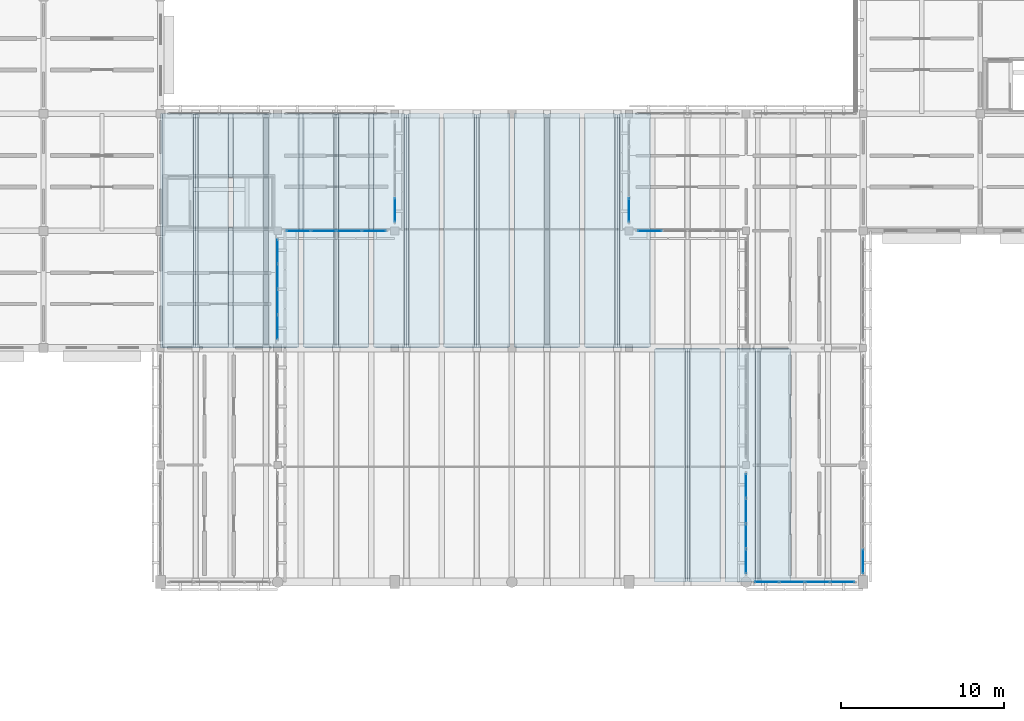
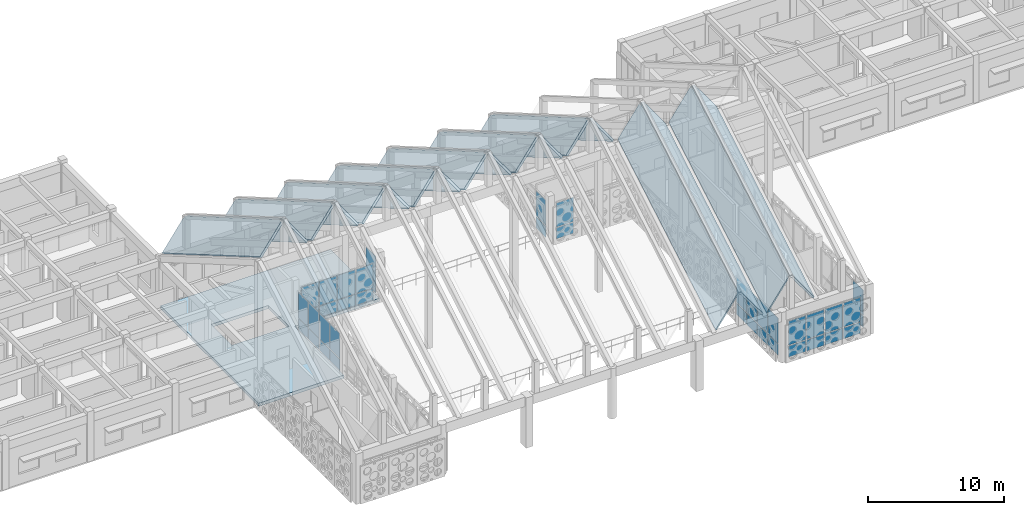
# One storey, part 103 of 171: 40 plates, 19 slabs, 8 elements without a shape of their own.
"""IFC4 building model written with IfcOpenShell, lengths in metres."""

from ifc_helpers import new_model, si_unit, direction, frame, origin, origin_2d, place, context, subcontext, project, spatial, polyline, rectangle, outline, extrude, material, layer, layer_set, type_object, element, aggregate, save


model = new_model("IFC4")

# Units and contexts
model_context = context("Model", 3, precision=1e-05, world=origin(), true_north=direction((0.0, 1.0)))
body_context = subcontext(model_context, "Body", "Model", "MODEL_VIEW")
ifc_project = project(units=[si_unit("LENGTHUNIT", "METRE"), si_unit("AREAUNIT", "SQUARE_METRE"), si_unit("VOLUMEUNIT", "CUBIC_METRE"), si_unit("PLANEANGLEUNIT", "RADIAN"), si_unit("MASSUNIT", "GRAM", prefix="KILO")], contexts=[model_context])

# Site, building, storey
site_placement = place(None, origin())
site = spatial("IfcSite", under=ifc_project, at=site_placement, CompositionType="ELEMENT")
building_placement = place(site_placement, origin())
building = spatial("IfcBuilding", under=site, at=building_placement, Name="Aldebral Square Health Centre", CompositionType="ELEMENT")
storey_placement = place(building_placement, frame((0.0, 0.0, 4.5)))
storey = spatial("IfcBuildingStorey", under=building, at=storey_placement, Name="L01", CompositionType="ELEMENT", Elevation=4.5)

# Curtain wall, plates
ifc_material_1 = material(Name="Aluminium and low-E solar glass", Category="aluminium")
curtain_wall_type = type_object("IfcCurtainWallType", Name="CW-HALL-SYS", PredefinedType="USERDEFINED", material=ifc_material_1)
curtain_wall_1_placement = place(storey_placement, origin())
curtain_wall_1 = element("IfcCurtainWall", 1, at=curtain_wall_1_placement, inside=storey, type_object=curtain_wall_type, Name="L01 V1 hall curtain wall L01-V1-09-12-E", ObjectType="HALL_CURTAIN_WALL", PredefinedType="USERDEFINED")
ifc_material_2 = material(Name="Solar-control low-E double glass", Category="glass")
ifc_layer_1 = layer(ifc_material_2, 0.030029296875, Name="Solar-control low-E double glass", Category="glass")
ifc_layer_set_1 = layer_set([ifc_layer_1], Name="Solar-control low-E double glass")
plate_type = type_object("IfcPlateType", Name="CWP-GLZ-2", PredefinedType="CURTAIN_PANEL", material=ifc_layer_set_1)
plate_1_placement = place(storey_placement, frame((72.0, 87.6787109375, 0.0751953125), z_axis=(0.0, 0.0, 1.0), x_axis=(0.0, 1.0, 0.0)))
plate_1 = element("IfcPlate", 2, at=plate_1_placement, type_object=plate_type, Name="CW2 panel 1.1", PredefinedType="CURTAIN_PANEL", context=body_context, shape_type="SweptSolid", body=[
    extrude(rectangle(XDim=1.447509765625, YDim=0.030029296875, at=origin_2d()), origin(), (0.0, 0.0, 1.0), 0.987548828125),
])
plate_2_placement = place(storey_placement, frame((72.0, 87.6787109375, 1.1376953125), z_axis=(0.0, 0.0, 1.0), x_axis=(0.0, 1.0, 0.0)))
plate_2 = element("IfcPlate", 3, at=plate_2_placement, type_object=plate_type, Name="CW2 panel 1.2", PredefinedType="CURTAIN_PANEL", context=body_context, shape_type="SweptSolid", body=[
    extrude(rectangle(XDim=1.447509765625, YDim=0.030029296875, at=origin_2d()), origin(), (0.0, 0.0, 1.0), 2.257568359375),
])
plate_3_placement = place(storey_placement, frame((72.0, 89.219970703125, 0.0751953125), z_axis=(0.0, 0.0, 1.0), x_axis=(0.0, 1.0, 0.0)))
plate_3 = element("IfcPlate", 4, at=plate_3_placement, type_object=plate_type, Name="CW2 panel 2.1", PredefinedType="CURTAIN_PANEL", context=body_context, shape_type="SweptSolid", body=[
    extrude(rectangle(XDim=1.485107421875, YDim=0.030029296875, at=origin_2d()), origin(), (0.0, 0.0, 1.0), 0.987548828125),
])
plate_4_placement = place(storey_placement, frame((72.0, 89.219970703125, 1.1376953125), z_axis=(0.0, 0.0, 1.0), x_axis=(0.0, 1.0, 0.0)))
plate_4 = element("IfcPlate", 5, at=plate_4_placement, type_object=plate_type, Name="CW2 panel 2.2", PredefinedType="CURTAIN_PANEL", context=body_context, shape_type="SweptSolid", body=[
    extrude(rectangle(XDim=1.485107421875, YDim=0.030029296875, at=origin_2d()), origin(), (0.0, 0.0, 1.0), 2.257568359375),
])
plate_5_placement = place(storey_placement, frame((72.0, 90.780029296875, 0.0751953125), z_axis=(0.0, 0.0, 1.0), x_axis=(0.0, 1.0, 0.0)))
plate_5 = element("IfcPlate", 6, at=plate_5_placement, type_object=plate_type, Name="CW2 panel 3.1", PredefinedType="CURTAIN_PANEL", context=body_context, shape_type="SweptSolid", body=[
    extrude(rectangle(XDim=1.485107421875, YDim=0.030029296875, at=origin_2d()), origin(), (0.0, 0.0, 1.0), 0.987548828125),
])
plate_6_placement = place(storey_placement, frame((72.0, 90.780029296875, 1.1376953125), z_axis=(0.0, 0.0, 1.0), x_axis=(0.0, 1.0, 0.0)))
plate_6 = element("IfcPlate", 7, at=plate_6_placement, type_object=plate_type, Name="CW2 panel 3.2", PredefinedType="CURTAIN_PANEL", context=body_context, shape_type="SweptSolid", body=[
    extrude(rectangle(XDim=1.485107421875, YDim=0.030029296875, at=origin_2d()), origin(), (0.0, 0.0, 1.0), 2.257568359375),
])
plate_7_placement = place(storey_placement, frame((72.0, 92.3212890625, 0.0751953125), z_axis=(0.0, 0.0, 1.0), x_axis=(0.0, 1.0, 0.0)))
plate_7 = element("IfcPlate", 8, at=plate_7_placement, type_object=plate_type, Name="CW2 panel 4.1", PredefinedType="CURTAIN_PANEL", context=body_context, shape_type="SweptSolid", body=[
    extrude(rectangle(XDim=1.447509765625, YDim=0.030029296875, at=origin_2d()), origin(), (0.0, 0.0, 1.0), 0.987548828125),
])
plate_8_placement = place(storey_placement, frame((72.0, 92.3212890625, 1.1376953125), z_axis=(0.0, 0.0, 1.0), x_axis=(0.0, 1.0, 0.0)))
plate_8 = element("IfcPlate", 9, at=plate_8_placement, type_object=plate_type, Name="CW2 panel 4.2", PredefinedType="CURTAIN_PANEL", context=body_context, shape_type="SweptSolid", body=[
    extrude(rectangle(XDim=1.447509765625, YDim=0.030029296875, at=origin_2d()), origin(), (0.0, 0.0, 1.0), 2.257568359375),
])
aggregate(curtain_wall_1, [plate_1, plate_2, plate_3, plate_4, plate_5, plate_6, plate_7, plate_8])

curtain_wall_2_placement = place(storey_placement, origin())
curtain_wall_2 = element("IfcCurtainWall", 10, at=curtain_wall_2_placement, inside=storey, type_object=curtain_wall_type, Name="L01 V1 hall curtain wall L01-V1-10-13-S", ObjectType="HALL_CURTAIN_WALL", PredefinedType="USERDEFINED")
plate_9_placement = place(storey_placement, frame((73.27880859375, 93.60009765625, 0.0751953125), z_axis=(0.0, 0.0, 1.0), x_axis=(1.0, 0.0, 0.0)))
plate_9 = element("IfcPlate", 11, at=plate_9_placement, type_object=plate_type, Name="CW2 panel 1.1", PredefinedType="CURTAIN_PANEL", context=body_context, shape_type="SweptSolid", body=[
    extrude(rectangle(XDim=1.447509765625, YDim=0.030029296875, at=origin_2d()), origin(), (0.0, 0.0, 1.0), 0.987548828125),
])
plate_10_placement = place(storey_placement, frame((73.27880859375, 93.60009765625, 1.1376953125), z_axis=(0.0, 0.0, 1.0), x_axis=(1.0, 0.0, 0.0)))
plate_10 = element("IfcPlate", 12, at=plate_10_placement, type_object=plate_type, Name="CW2 panel 1.2", PredefinedType="CURTAIN_PANEL", context=body_context, shape_type="SweptSolid", body=[
    extrude(rectangle(XDim=1.447509765625, YDim=0.030029296875, at=origin_2d()), origin(), (0.0, 0.0, 1.0), 2.157470703125),
])
plate_11_placement = place(storey_placement, frame((74.820068359375, 93.60009765625, 0.0751953125), z_axis=(0.0, 0.0, 1.0), x_axis=(1.0, 0.0, 0.0)))
plate_11 = element("IfcPlate", 13, at=plate_11_placement, type_object=plate_type, Name="CW2 panel 2.1", PredefinedType="CURTAIN_PANEL", context=body_context, shape_type="SweptSolid", body=[
    extrude(rectangle(XDim=1.485107421875, YDim=0.030029296875, at=origin_2d()), origin(), (0.0, 0.0, 1.0), 0.987548828125),
])
plate_12_placement = place(storey_placement, frame((74.820068359375, 93.60009765625, 1.1376953125), z_axis=(0.0, 0.0, 1.0), x_axis=(1.0, 0.0, 0.0)))
plate_12 = element("IfcPlate", 14, at=plate_12_placement, type_object=plate_type, Name="CW2 panel 2.2", PredefinedType="CURTAIN_PANEL", context=body_context, shape_type="SweptSolid", body=[
    extrude(rectangle(XDim=1.485107421875, YDim=0.030029296875, at=origin_2d()), origin(), (0.0, 0.0, 1.0), 2.157470703125),
])
plate_13_placement = place(storey_placement, frame((76.3798828125, 93.60009765625, 0.0751953125), z_axis=(0.0, 0.0, 1.0), x_axis=(1.0, 0.0, 0.0)))
plate_13 = element("IfcPlate", 15, at=plate_13_placement, type_object=plate_type, Name="CW2 panel 3.1", PredefinedType="CURTAIN_PANEL", context=body_context, shape_type="SweptSolid", body=[
    extrude(rectangle(XDim=1.485107421875, YDim=0.030029296875, at=origin_2d()), origin(), (0.0, 0.0, 1.0), 0.987548828125),
])
plate_14_placement = place(storey_placement, frame((76.3798828125, 93.60009765625, 1.1376953125), z_axis=(0.0, 0.0, 1.0), x_axis=(1.0, 0.0, 0.0)))
plate_14 = element("IfcPlate", 16, at=plate_14_placement, type_object=plate_type, Name="CW2 panel 3.2", PredefinedType="CURTAIN_PANEL", context=body_context, shape_type="SweptSolid", body=[
    extrude(rectangle(XDim=1.485107421875, YDim=0.030029296875, at=origin_2d()), origin(), (0.0, 0.0, 1.0), 2.157470703125),
])
plate_15_placement = place(storey_placement, frame((77.921142578125, 93.60009765625, 0.0751953125), z_axis=(0.0, 0.0, 1.0), x_axis=(1.0, 0.0, 0.0)))
plate_15 = element("IfcPlate", 17, at=plate_15_placement, type_object=plate_type, Name="CW2 panel 4.1", PredefinedType="CURTAIN_PANEL", context=body_context, shape_type="SweptSolid", body=[
    extrude(rectangle(XDim=1.447509765625, YDim=0.030029296875, at=origin_2d()), origin(), (0.0, 0.0, 1.0), 0.987548828125),
])
plate_16_placement = place(storey_placement, frame((77.921142578125, 93.60009765625, 1.1376953125), z_axis=(0.0, 0.0, 1.0), x_axis=(1.0, 0.0, 0.0)))
plate_16 = element("IfcPlate", 18, at=plate_16_placement, type_object=plate_type, Name="CW2 panel 4.2", PredefinedType="CURTAIN_PANEL", context=body_context, shape_type="SweptSolid", body=[
    extrude(rectangle(XDim=1.447509765625, YDim=0.030029296875, at=origin_2d()), origin(), (0.0, 0.0, 1.0), 2.157470703125),
])
aggregate(curtain_wall_2, [plate_9, plate_10, plate_11, plate_12, plate_13, plate_14, plate_15, plate_16])

curtain_wall_3_placement = place(storey_placement, origin())
curtain_wall_3 = element("IfcCurtainWall", 19, at=curtain_wall_3_placement, inside=storey, type_object=curtain_wall_type, Name="L01 V1 hall curtain wall L01-V1-10-13-E", ObjectType="HALL_CURTAIN_WALL", PredefinedType="USERDEFINED")
plate_17_placement = place(storey_placement, frame((79.199951171875, 94.878662109375, 0.0751953125), z_axis=(0.0, 0.0, 1.0), x_axis=(0.0, 1.0, 0.0)))
plate_17 = element("IfcPlate", 20, at=plate_17_placement, type_object=plate_type, Name="CW2 panel 1.1", PredefinedType="CURTAIN_PANEL", context=body_context, shape_type="SweptSolid", body=[
    extrude(rectangle(XDim=1.447509765625, YDim=0.030029296875, at=origin_2d()), origin(), (0.0, 0.0, 1.0), 0.987548828125),
])
plate_18_placement = place(storey_placement, frame((79.199951171875, 94.878662109375, 1.1376953125), z_axis=(0.0, 0.0, 1.0), x_axis=(0.0, 1.0, 0.0)))
plate_18 = element("IfcPlate", 21, at=plate_18_placement, type_object=plate_type, Name="CW2 panel 1.2", PredefinedType="CURTAIN_PANEL", context=body_context, shape_type="SweptSolid", body=[
    extrude(rectangle(XDim=1.447509765625, YDim=0.030029296875, at=origin_2d()), origin(), (0.0, 0.0, 1.0), 2.257568359375),
])
aggregate(curtain_wall_3, [plate_17, plate_18])

curtain_wall_4_placement = place(storey_placement, origin())
curtain_wall_4 = element("IfcCurtainWall", 22, at=curtain_wall_4_placement, inside=storey, type_object=curtain_wall_type, Name="L01 V1 hall curtain wall L01-V1-13-13-S", ObjectType="HALL_CURTAIN_WALL", PredefinedType="USERDEFINED")
plate_19_placement = place(storey_placement, frame((94.878662109375, 93.60009765625, 0.0751953125), z_axis=(0.0, 0.0, 1.0), x_axis=(1.0, 0.0, 0.0)))
plate_19 = element("IfcPlate", 23, at=plate_19_placement, type_object=plate_type, Name="CW2 panel 1.1", PredefinedType="CURTAIN_PANEL", context=body_context, shape_type="SweptSolid", body=[
    extrude(rectangle(XDim=1.447509765625, YDim=0.030029296875, at=origin_2d()), origin(), (0.0, 0.0, 1.0), 0.987548828125),
])
plate_20_placement = place(storey_placement, frame((94.878662109375, 93.60009765625, 1.1376953125), z_axis=(0.0, 0.0, 1.0), x_axis=(1.0, 0.0, 0.0)))
plate_20 = element("IfcPlate", 24, at=plate_20_placement, type_object=plate_type, Name="CW2 panel 1.2", PredefinedType="CURTAIN_PANEL", context=body_context, shape_type="SweptSolid", body=[
    extrude(rectangle(XDim=1.447509765625, YDim=0.030029296875, at=origin_2d()), origin(), (0.0, 0.0, 1.0), 2.157470703125),
])
aggregate(curtain_wall_4, [plate_19, plate_20])

curtain_wall_5_placement = place(storey_placement, origin())
curtain_wall_5 = element("IfcCurtainWall", 25, at=curtain_wall_5_placement, inside=storey, type_object=curtain_wall_type, Name="L01 V1 hall curtain wall L01-V1-13-13-W", ObjectType="HALL_CURTAIN_WALL", PredefinedType="USERDEFINED")
plate_21_placement = place(storey_placement, frame((93.60009765625, 94.878662109375, 0.0751953125), z_axis=(0.0, 0.0, 1.0), x_axis=(0.0, -1.0, 0.0)))
plate_21 = element("IfcPlate", 26, at=plate_21_placement, type_object=plate_type, Name="CW2 panel 4.1", PredefinedType="CURTAIN_PANEL", context=body_context, shape_type="SweptSolid", body=[
    extrude(rectangle(XDim=1.447509765625, YDim=0.030029296875, at=origin_2d()), origin(), (0.0, 0.0, 1.0), 0.987548828125),
])
plate_22_placement = place(storey_placement, frame((93.60009765625, 94.878662109375, 1.1376953125), z_axis=(0.0, 0.0, 1.0), x_axis=(0.0, -1.0, 0.0)))
plate_22 = element("IfcPlate", 27, at=plate_22_placement, type_object=plate_type, Name="CW2 panel 4.2", PredefinedType="CURTAIN_PANEL", context=body_context, shape_type="SweptSolid", body=[
    extrude(rectangle(XDim=1.447509765625, YDim=0.030029296875, at=origin_2d()), origin(), (0.0, 0.0, 1.0), 2.257568359375),
])
aggregate(curtain_wall_5, [plate_21, plate_22])

curtain_wall_6_placement = place(storey_placement, origin())
curtain_wall_6 = element("IfcCurtainWall", 28, at=curtain_wall_6_placement, inside=storey, type_object=curtain_wall_type, Name="L01 V1 hall curtain wall L01-V1-14-10-S", ObjectType="HALL_CURTAIN_WALL", PredefinedType="USERDEFINED")
plate_23_placement = place(storey_placement, frame((102.078857421875, 72.0, 0.0751953125), z_axis=(0.0, 0.0, 1.0), x_axis=(1.0, 0.0, 0.0)))
plate_23 = element("IfcPlate", 29, at=plate_23_placement, type_object=plate_type, Name="CW2 panel 1.1", PredefinedType="CURTAIN_PANEL", context=body_context, shape_type="SweptSolid", body=[
    extrude(rectangle(XDim=1.447509765625, YDim=0.030029296875, at=origin_2d()), origin(), (0.0, 0.0, 1.0), 0.987548828125),
])
plate_24_placement = place(storey_placement, frame((102.078857421875, 72.0, 1.1376953125), z_axis=(0.0, 0.0, 1.0), x_axis=(1.0, 0.0, 0.0)))
plate_24 = element("IfcPlate", 30, at=plate_24_placement, type_object=plate_type, Name="CW2 panel 1.2", PredefinedType="CURTAIN_PANEL", context=body_context, shape_type="SweptSolid", body=[
    extrude(rectangle(XDim=1.447509765625, YDim=0.030029296875, at=origin_2d()), origin(), (0.0, 0.0, 1.0), 2.157470703125),
])
plate_25_placement = place(storey_placement, frame((103.6201171875, 72.0, 0.0751953125), z_axis=(0.0, 0.0, 1.0), x_axis=(1.0, 0.0, 0.0)))
plate_25 = element("IfcPlate", 31, at=plate_25_placement, type_object=plate_type, Name="CW2 panel 2.1", PredefinedType="CURTAIN_PANEL", context=body_context, shape_type="SweptSolid", body=[
    extrude(rectangle(XDim=1.485107421875, YDim=0.030029296875, at=origin_2d()), origin(), (0.0, 0.0, 1.0), 0.987548828125),
])
plate_26_placement = place(storey_placement, frame((103.6201171875, 72.0, 1.1376953125), z_axis=(0.0, 0.0, 1.0), x_axis=(1.0, 0.0, 0.0)))
plate_26 = element("IfcPlate", 32, at=plate_26_placement, type_object=plate_type, Name="CW2 panel 2.2", PredefinedType="CURTAIN_PANEL", context=body_context, shape_type="SweptSolid", body=[
    extrude(rectangle(XDim=1.485107421875, YDim=0.030029296875, at=origin_2d()), origin(), (0.0, 0.0, 1.0), 2.157470703125),
])
plate_27_placement = place(storey_placement, frame((105.179931640625, 72.0, 0.0751953125), z_axis=(0.0, 0.0, 1.0), x_axis=(1.0, 0.0, 0.0)))
plate_27 = element("IfcPlate", 33, at=plate_27_placement, type_object=plate_type, Name="CW2 panel 3.1", PredefinedType="CURTAIN_PANEL", context=body_context, shape_type="SweptSolid", body=[
    extrude(rectangle(XDim=1.485107421875, YDim=0.030029296875, at=origin_2d()), origin(), (0.0, 0.0, 1.0), 0.987548828125),
])
plate_28_placement = place(storey_placement, frame((105.179931640625, 72.0, 1.1376953125), z_axis=(0.0, 0.0, 1.0), x_axis=(1.0, 0.0, 0.0)))
plate_28 = element("IfcPlate", 34, at=plate_28_placement, type_object=plate_type, Name="CW2 panel 3.2", PredefinedType="CURTAIN_PANEL", context=body_context, shape_type="SweptSolid", body=[
    extrude(rectangle(XDim=1.485107421875, YDim=0.030029296875, at=origin_2d()), origin(), (0.0, 0.0, 1.0), 2.157470703125),
])
plate_29_placement = place(storey_placement, frame((106.72119140625, 72.0, 0.0751953125), z_axis=(0.0, 0.0, 1.0), x_axis=(1.0, 0.0, 0.0)))
plate_29 = element("IfcPlate", 35, at=plate_29_placement, type_object=plate_type, Name="CW2 panel 4.1", PredefinedType="CURTAIN_PANEL", context=body_context, shape_type="SweptSolid", body=[
    extrude(rectangle(XDim=1.447509765625, YDim=0.030029296875, at=origin_2d()), origin(), (0.0, 0.0, 1.0), 0.987548828125),
])
plate_30_placement = place(storey_placement, frame((106.72119140625, 72.0, 1.1376953125), z_axis=(0.0, 0.0, 1.0), x_axis=(1.0, 0.0, 0.0)))
plate_30 = element("IfcPlate", 36, at=plate_30_placement, type_object=plate_type, Name="CW2 panel 4.2", PredefinedType="CURTAIN_PANEL", context=body_context, shape_type="SweptSolid", body=[
    extrude(rectangle(XDim=1.447509765625, YDim=0.030029296875, at=origin_2d()), origin(), (0.0, 0.0, 1.0), 2.157470703125),
])
aggregate(curtain_wall_6, [plate_23, plate_24, plate_25, plate_26, plate_27, plate_28, plate_29, plate_30])

curtain_wall_7_placement = place(storey_placement, origin())
curtain_wall_7 = element("IfcCurtainWall", 37, at=curtain_wall_7_placement, inside=storey, type_object=curtain_wall_type, Name="L01 V1 hall curtain wall L01-V1-14-10-W", ObjectType="HALL_CURTAIN_WALL", PredefinedType="USERDEFINED")
plate_31_placement = place(storey_placement, frame((100.800048828125, 77.921142578125, 0.0751953125), z_axis=(0.0, 0.0, 1.0), x_axis=(0.0, -1.0, 0.0)))
plate_31 = element("IfcPlate", 38, at=plate_31_placement, type_object=plate_type, Name="CW2 panel 1.1", PredefinedType="CURTAIN_PANEL", context=body_context, shape_type="SweptSolid", body=[
    extrude(rectangle(XDim=1.447509765625, YDim=0.030029296875, at=origin_2d()), origin(), (0.0, 0.0, 1.0), 0.987548828125),
])
plate_32_placement = place(storey_placement, frame((100.800048828125, 77.921142578125, 1.1376953125), z_axis=(0.0, 0.0, 1.0), x_axis=(0.0, -1.0, 0.0)))
plate_32 = element("IfcPlate", 39, at=plate_32_placement, type_object=plate_type, Name="CW2 panel 1.2", PredefinedType="CURTAIN_PANEL", context=body_context, shape_type="SweptSolid", body=[
    extrude(rectangle(XDim=1.447509765625, YDim=0.030029296875, at=origin_2d()), origin(), (0.0, 0.0, 1.0), 2.257568359375),
])
plate_33_placement = place(storey_placement, frame((100.800048828125, 76.3798828125, 0.0751953125), z_axis=(0.0, 0.0, 1.0), x_axis=(0.0, -1.0, 0.0)))
plate_33 = element("IfcPlate", 40, at=plate_33_placement, type_object=plate_type, Name="CW2 panel 2.1", PredefinedType="CURTAIN_PANEL", context=body_context, shape_type="SweptSolid", body=[
    extrude(rectangle(XDim=1.485107421875, YDim=0.030029296875, at=origin_2d()), origin(), (0.0, 0.0, 1.0), 0.987548828125),
])
plate_34_placement = place(storey_placement, frame((100.800048828125, 76.3798828125, 1.1376953125), z_axis=(0.0, 0.0, 1.0), x_axis=(0.0, -1.0, 0.0)))
plate_34 = element("IfcPlate", 41, at=plate_34_placement, type_object=plate_type, Name="CW2 panel 2.2", PredefinedType="CURTAIN_PANEL", context=body_context, shape_type="SweptSolid", body=[
    extrude(rectangle(XDim=1.485107421875, YDim=0.030029296875, at=origin_2d()), origin(), (0.0, 0.0, 1.0), 2.257568359375),
])
plate_35_placement = place(storey_placement, frame((100.800048828125, 74.820068359375, 0.0751953125), z_axis=(0.0, 0.0, 1.0), x_axis=(0.0, -1.0, 0.0)))
plate_35 = element("IfcPlate", 42, at=plate_35_placement, type_object=plate_type, Name="CW2 panel 3.1", PredefinedType="CURTAIN_PANEL", context=body_context, shape_type="SweptSolid", body=[
    extrude(rectangle(XDim=1.485107421875, YDim=0.030029296875, at=origin_2d()), origin(), (0.0, 0.0, 1.0), 0.987548828125),
])
plate_36_placement = place(storey_placement, frame((100.800048828125, 74.820068359375, 1.1376953125), z_axis=(0.0, 0.0, 1.0), x_axis=(0.0, -1.0, 0.0)))
plate_36 = element("IfcPlate", 43, at=plate_36_placement, type_object=plate_type, Name="CW2 panel 3.2", PredefinedType="CURTAIN_PANEL", context=body_context, shape_type="SweptSolid", body=[
    extrude(rectangle(XDim=1.485107421875, YDim=0.030029296875, at=origin_2d()), origin(), (0.0, 0.0, 1.0), 2.257568359375),
])
plate_37_placement = place(storey_placement, frame((100.800048828125, 73.27880859375, 0.0751953125), z_axis=(0.0, 0.0, 1.0), x_axis=(0.0, -1.0, 0.0)))
plate_37 = element("IfcPlate", 44, at=plate_37_placement, type_object=plate_type, Name="CW2 panel 4.1", PredefinedType="CURTAIN_PANEL", context=body_context, shape_type="SweptSolid", body=[
    extrude(rectangle(XDim=1.447509765625, YDim=0.030029296875, at=origin_2d()), origin(), (0.0, 0.0, 1.0), 0.987548828125),
])
plate_38_placement = place(storey_placement, frame((100.800048828125, 73.27880859375, 1.1376953125), z_axis=(0.0, 0.0, 1.0), x_axis=(0.0, -1.0, 0.0)))
plate_38 = element("IfcPlate", 45, at=plate_38_placement, type_object=plate_type, Name="CW2 panel 4.2", PredefinedType="CURTAIN_PANEL", context=body_context, shape_type="SweptSolid", body=[
    extrude(rectangle(XDim=1.447509765625, YDim=0.030029296875, at=origin_2d()), origin(), (0.0, 0.0, 1.0), 2.257568359375),
])
aggregate(curtain_wall_7, [plate_31, plate_32, plate_33, plate_34, plate_35, plate_36, plate_37, plate_38])

curtain_wall_8_placement = place(storey_placement, origin())
curtain_wall_8 = element("IfcCurtainWall", 46, at=curtain_wall_8_placement, inside=storey, type_object=curtain_wall_type, Name="L01 V1 hall curtain wall L01-V1-14-10-E", ObjectType="HALL_CURTAIN_WALL", PredefinedType="USERDEFINED")
plate_39_placement = place(storey_placement, frame((108.0, 73.27880859375, 0.0751953125), z_axis=(0.0, 0.0, 1.0), x_axis=(0.0, 1.0, 0.0)))
plate_39 = element("IfcPlate", 47, at=plate_39_placement, type_object=plate_type, Name="CW2 panel 1.1", PredefinedType="CURTAIN_PANEL", context=body_context, shape_type="SweptSolid", body=[
    extrude(rectangle(XDim=1.447509765625, YDim=0.030029296875, at=origin_2d()), origin(), (0.0, 0.0, 1.0), 0.987548828125),
])
plate_40_placement = place(storey_placement, frame((108.0, 73.27880859375, 1.1376953125), z_axis=(0.0, 0.0, 1.0), x_axis=(0.0, 1.0, 0.0)))
plate_40 = element("IfcPlate", 48, at=plate_40_placement, type_object=plate_type, Name="CW2 panel 1.2", PredefinedType="CURTAIN_PANEL", context=body_context, shape_type="SweptSolid", body=[
    extrude(rectangle(XDim=1.447509765625, YDim=0.030029296875, at=origin_2d()), origin(), (0.0, 0.0, 1.0), 2.257568359375),
])
aggregate(curtain_wall_8, [plate_39, plate_40])

# Slabs
ifc_material_3 = material(Name="Concrete C35/45", Category="concrete")
ifc_layer_2 = layer(ifc_material_3, 0.280029296875, Name="Concrete C35/45", Category="concrete")
ifc_layer_set_2 = layer_set([ifc_layer_2], Name="Concrete C35/45")
slab_type_1 = type_object("IfcSlabType", Name="SL-FLR-280", PredefinedType="FLOOR", material=ifc_layer_set_2)
slab_1_placement = place(storey_placement, frame((0.0, 0.0, -0.280029296875)))
element("IfcSlab", 49, at=slab_1_placement, inside=storey, type_object=slab_type_1, Name="L01 V1 floor slab 2", PredefinedType="FLOOR", context=body_context, shape_type="SweptSolid", body=[
    extrude(outline(polyline([(64.800048828125, 86.39990234375), (64.800048828125, 93.60009765625), (64.800048828125, 100.800048828125), (72.0, 100.800048828125), (79.199951171875, 100.800048828125), (79.199951171875, 93.60009765625), (72.0, 93.60009765625), (72.0, 86.39990234375), (64.800048828125, 86.39990234375)]), holes=[polyline([(71.659912109375, 96.8798828125), (66.820068359375, 96.8798828125), (66.820068359375, 93.800048828125), (71.659912109375, 93.800048828125), (71.659912109375, 96.8798828125)])]), origin(), (0.0, 0.0, 1.0), 0.280029296875),
])
ifc_material_4 = material(Name="Concrete C40/50", Category="concrete")
ifc_layer_3 = layer(ifc_material_4, 0.179931640625, Name="Concrete C40/50", Category="concrete")
ifc_layer_set_3 = layer_set([ifc_layer_3], Name="Concrete C40/50")
slab_type_2 = type_object("IfcSlabType", Name="SL-FP-180", PredefinedType="ROOF", material=ifc_layer_set_3)
slab_2_placement = place(storey_placement, frame((66.830078125, 100.800048828125, 7.3193359375), z_axis=(-0.768091096898, 0.322647311562, 0.553113712728), x_axis=(-0.584366040123, 0.0, -0.811490191654)))
element("IfcSlab", 50, at=slab_2_placement, inside=storey, type_object=slab_type_2, Name="Waiting Hall folded-plate roof bay 1 NW", PredefinedType="ROOF", context=body_context, shape_type="SweptSolid", body=[
    extrude(outline(polyline([(0.0, 0.0), (3.251637422284146, 0.0), (-3.536470106196056, 15.150339221081133), (-6.788107528480202, 15.150339221081133), (0.0, 0.0)])), origin(), (0.0, 0.0, -1.0), 0.179931640625),
])
slab_3_placement = place(storey_placement, frame((68.989990234375, 100.800048828125, 4.6806640625), z_axis=(0.768131563262, 0.322622852443, 0.553071782504), x_axis=(-0.584316593906, 0.0, 0.811525796316)))
element("IfcSlab", 51, at=slab_3_placement, inside=storey, type_object=slab_type_2, Name="Waiting Hall folded-plate roof bay 1 NE", PredefinedType="ROOF", context=body_context, shape_type="SweptSolid", body=[
    extrude(outline(polyline([(0.0, 0.0), (3.251494760829665, 5.551115123125783e-17), (10.03990012195744, 15.150205773686729), (6.788405361127777, 15.150205773686729), (0.0, 0.0)])), origin(), (0.0, 0.0, -1.0), 0.179931640625),
])
slab_4_placement = place(storey_placement, frame((71.14990234375, 100.800048828125, 7.3193359375), z_axis=(-0.768131563262, 0.322622852443, 0.553071782504), x_axis=(-0.584316593906, 0.0, -0.811525796316)))
element("IfcSlab", 52, at=slab_4_placement, inside=storey, type_object=slab_type_2, Name="Waiting Hall folded-plate roof bay 2 NW", PredefinedType="ROOF", context=body_context, shape_type="SweptSolid", body=[
    extrude(outline(polyline([(0.0, 0.0), (3.251494760829665, -5.551115123125783e-17), (-3.5369106002981106, 15.150205773686729), (-6.788405361127777, 15.150205773686729), (0.0, 0.0)])), origin(), (0.0, 0.0, -1.0), 0.179931640625),
])
slab_5_placement = place(storey_placement, frame((73.31005859375, 100.800048828125, 4.6806640625), z_axis=(0.768091096898, 0.322647311562, 0.553113712728), x_axis=(-0.584366040123, 0.0, 0.811490191654)))
element("IfcSlab", 53, at=slab_5_placement, inside=storey, type_object=slab_type_2, Name="Waiting Hall folded-plate roof bay 2 NE", PredefinedType="ROOF", context=body_context, shape_type="SweptSolid", body=[
    extrude(outline(polyline([(0.0, 0.0), (3.251637422284146, 0.0), (10.039744950764348, 15.150339221081133), (6.788107528480202, 15.150339221081133), (0.0, 0.0)])), origin(), (0.0, 0.0, -1.0), 0.179931640625),
])
slab_6_placement = place(storey_placement, frame((75.469970703125, 100.800048828125, 7.3193359375), z_axis=(-0.768131563262, 0.322622852443, 0.553071782504), x_axis=(-0.584316593906, 0.0, -0.811525796316)))
element("IfcSlab", 54, at=slab_6_placement, inside=storey, type_object=slab_type_2, Name="Waiting Hall folded-plate roof bay 3 NW", PredefinedType="ROOF", context=body_context, shape_type="SweptSolid", body=[
    extrude(outline(polyline([(0.0, 0.0), (3.251494760829665, -5.551115123125783e-17), (-3.5369106002981106, 15.150205773686729), (-6.788405361127777, 15.150205773686729), (0.0, 0.0)])), origin(), (0.0, 0.0, -1.0), 0.179931640625),
])
slab_7_placement = place(storey_placement, frame((77.6298828125, 100.800048828125, 4.6806640625), z_axis=(0.768131563262, 0.322622852443, 0.553071782504), x_axis=(-0.584316593906, 0.0, 0.811525796316)))
element("IfcSlab", 55, at=slab_7_placement, inside=storey, type_object=slab_type_2, Name="Waiting Hall folded-plate roof bay 3 NE", PredefinedType="ROOF", context=body_context, shape_type="SweptSolid", body=[
    extrude(outline(polyline([(0.0, 0.0), (3.251494760829665, 5.551115123125783e-17), (10.03990012195744, 15.150205773686729), (6.788405361127777, 15.150205773686729), (0.0, 0.0)])), origin(), (0.0, 0.0, -1.0), 0.179931640625),
])
slab_8_placement = place(storey_placement, frame((79.7900390625, 100.800048828125, 7.3193359375), z_axis=(-0.768091096898, 0.322647311562, 0.553113712728), x_axis=(-0.584366040123, 0.0, -0.811490191654)))
element("IfcSlab", 56, at=slab_8_placement, inside=storey, type_object=slab_type_2, Name="Waiting Hall folded-plate roof bay 4 NW", PredefinedType="ROOF", context=body_context, shape_type="SweptSolid", body=[
    extrude(outline(polyline([(0.0, 0.0), (3.251637422284146, 0.0), (-3.536470106196056, 15.150339221081133), (-6.788107528480202, 15.150339221081133), (0.0, 0.0)])), origin(), (0.0, 0.0, -1.0), 0.179931640625),
])
slab_9_placement = place(storey_placement, frame((81.949951171875, 100.800048828125, 4.6806640625), z_axis=(0.768131563262, 0.322622852443, 0.553071782504), x_axis=(-0.584316593906, 0.0, 0.811525796316)))
element("IfcSlab", 57, at=slab_9_placement, inside=storey, type_object=slab_type_2, Name="Waiting Hall folded-plate roof bay 4 NE", PredefinedType="ROOF", context=body_context, shape_type="SweptSolid", body=[
    extrude(outline(polyline([(0.0, 0.0), (3.251494760829665, 5.551115123125783e-17), (10.03990012195744, 15.150205773686729), (6.788405361127777, 15.150205773686729), (0.0, 0.0)])), origin(), (0.0, 0.0, -1.0), 0.179931640625),
])
slab_10_placement = place(storey_placement, frame((84.110107421875, 100.800048828125, 7.3193359375), z_axis=(-0.768091096898, 0.322647311562, 0.553113712728), x_axis=(-0.584366040123, 0.0, -0.811490191654)))
element("IfcSlab", 58, at=slab_10_placement, inside=storey, type_object=slab_type_2, Name="Waiting Hall folded-plate roof bay 5 NW", PredefinedType="ROOF", context=body_context, shape_type="SweptSolid", body=[
    extrude(outline(polyline([(0.0, 0.0), (3.251637422284146, 0.0), (-3.536470106196056, 15.150339221081133), (-6.788107528480202, 15.150339221081133), (0.0, 0.0)])), origin(), (0.0, 0.0, -1.0), 0.179931640625),
])
slab_11_placement = place(storey_placement, frame((86.27001953125, 100.800048828125, 4.6806640625), z_axis=(0.768131563262, 0.322622852443, 0.553071782504), x_axis=(-0.584316593906, 0.0, 0.811525796316)))
element("IfcSlab", 59, at=slab_11_placement, inside=storey, type_object=slab_type_2, Name="Waiting Hall folded-plate roof bay 5 NE", PredefinedType="ROOF", context=body_context, shape_type="SweptSolid", body=[
    extrude(outline(polyline([(0.0, 0.0), (3.251494760829665, 5.551115123125783e-17), (10.03990012195744, 15.150205773686729), (6.788405361127777, 15.150205773686729), (0.0, 0.0)])), origin(), (0.0, 0.0, -1.0), 0.179931640625),
])
slab_12_placement = place(storey_placement, frame((88.429931640625, 100.800048828125, 7.3193359375), z_axis=(-0.768131563262, 0.322622852443, 0.553071782504), x_axis=(-0.584316593906, 0.0, -0.811525796316)))
element("IfcSlab", 60, at=slab_12_placement, inside=storey, type_object=slab_type_2, Name="Waiting Hall folded-plate roof bay 6 NW", PredefinedType="ROOF", context=body_context, shape_type="SweptSolid", body=[
    extrude(outline(polyline([(0.0, 0.0), (3.251494760829665, -5.551115123125783e-17), (-3.5369106002981106, 15.150205773686729), (-6.788405361127777, 15.150205773686729), (0.0, 0.0)])), origin(), (0.0, 0.0, -1.0), 0.179931640625),
])
slab_13_placement = place(storey_placement, frame((90.590087890625, 100.800048828125, 4.6806640625), z_axis=(0.768091096898, 0.322647311562, 0.553113712728), x_axis=(-0.584366040123, 0.0, 0.811490191654)))
element("IfcSlab", 61, at=slab_13_placement, inside=storey, type_object=slab_type_2, Name="Waiting Hall folded-plate roof bay 6 NE", PredefinedType="ROOF", context=body_context, shape_type="SweptSolid", body=[
    extrude(outline(polyline([(0.0, 0.0), (3.251637422284146, 0.0), (10.039744950764348, 15.150339221081133), (6.788107528480202, 15.150339221081133), (0.0, 0.0)])), origin(), (0.0, 0.0, -1.0), 0.179931640625),
])
slab_14_placement = place(storey_placement, frame((92.75, 100.800048828125, 7.3193359375), z_axis=(-0.768131563262, 0.322622852443, 0.553071782504), x_axis=(-0.584316593906, 0.0, -0.811525796316)))
element("IfcSlab", 62, at=slab_14_placement, inside=storey, type_object=slab_type_2, Name="Waiting Hall folded-plate roof bay 7 NW", PredefinedType="ROOF", context=body_context, shape_type="SweptSolid", body=[
    extrude(outline(polyline([(0.0, 0.0), (3.251494760829665, -5.551115123125783e-17), (-3.5369106002981106, 15.150205773686729), (-6.788405361127777, 15.150205773686729), (0.0, 0.0)])), origin(), (0.0, 0.0, -1.0), 0.179931640625),
])
slab_15_placement = place(storey_placement, frame((94.909912109375, 100.800048828125, 4.6806640625), z_axis=(0.768131563262, 0.322622852443, 0.553071782504), x_axis=(-0.584316593906, 0.0, 0.811525796316)))
element("IfcSlab", 63, at=slab_15_placement, inside=storey, type_object=slab_type_2, Name="Waiting Hall folded-plate roof bay 7 NE", PredefinedType="ROOF", context=body_context, shape_type="SweptSolid", body=[
    extrude(outline(polyline([(0.0, 0.0), (3.251494760829665, 5.551115123125783e-17), (10.03990012195744, 15.150205773686729), (6.788405361127777, 15.150205773686729), (0.0, 0.0)])), origin(), (0.0, 0.0, -1.0), 0.179931640625),
])
slab_16_placement = place(storey_placement, frame((95.169921875, 72.0, 4.6806640625), z_axis=(-0.768091096898, -0.322647311562, 0.553113712728), x_axis=(0.584366040123, 0.0, 0.811490191654)))
element("IfcSlab", 64, at=slab_16_placement, inside=storey, type_object=slab_type_2, Name="Waiting Hall folded-plate roof bay 8 SW", PredefinedType="ROOF", context=body_context, shape_type="SweptSolid", body=[
    extrude(outline(polyline([(0.0, 0.0), (3.251637422284146, 0.0), (10.039744950764348, 15.150339221081133), (6.788107528480202, 15.150339221081133), (0.0, 0.0)])), origin(), (0.0, 0.0, -1.0), 0.179931640625),
])
slab_17_placement = place(storey_placement, frame((97.330078125, 72.0, 7.3193359375), z_axis=(0.768131563262, -0.322622852443, 0.553071782504), x_axis=(0.584316593906, 0.0, -0.811525796316)))
element("IfcSlab", 65, at=slab_17_placement, inside=storey, type_object=slab_type_2, Name="Waiting Hall folded-plate roof bay 8 SE", PredefinedType="ROOF", context=body_context, shape_type="SweptSolid", body=[
    extrude(outline(polyline([(0.0, 0.0), (3.251494760829665, -5.551115123125783e-17), (-3.5369106002981106, 15.150205773686729), (-6.788405361127777, 15.150205773686729), (0.0, 0.0)])), origin(), (0.0, 0.0, -1.0), 0.179931640625),
])
slab_18_placement = place(storey_placement, frame((99.489990234375, 72.0, 4.6806640625), z_axis=(-0.768131563262, -0.322622852443, 0.553071782504), x_axis=(0.584316593906, 0.0, 0.811525796316)))
element("IfcSlab", 66, at=slab_18_placement, inside=storey, type_object=slab_type_2, Name="Waiting Hall folded-plate roof bay 9 SW", PredefinedType="ROOF", context=body_context, shape_type="SweptSolid", body=[
    extrude(outline(polyline([(0.0, 0.0), (3.251494760829665, 5.551115123125783e-17), (10.03990012195744, 15.150205773686729), (6.788405361127777, 15.150205773686729), (0.0, 0.0)])), origin(), (0.0, 0.0, -1.0), 0.179931640625),
])
slab_19_placement = place(storey_placement, frame((101.64990234375, 72.0, 7.3193359375), z_axis=(0.768091096898, -0.322647311562, 0.553113712728), x_axis=(0.584366040123, 0.0, -0.811490191654)))
element("IfcSlab", 67, at=slab_19_placement, inside=storey, type_object=slab_type_2, Name="Waiting Hall folded-plate roof bay 9 SE", PredefinedType="ROOF", context=body_context, shape_type="SweptSolid", body=[
    extrude(outline(polyline([(0.0, 0.0), (3.251637422284146, 0.0), (-3.536470106196056, 15.150339221081133), (-6.788107528480202, 15.150339221081133), (0.0, 0.0)])), origin(), (0.0, 0.0, -1.0), 0.179931640625),
])

save(model, "model.ifc")
